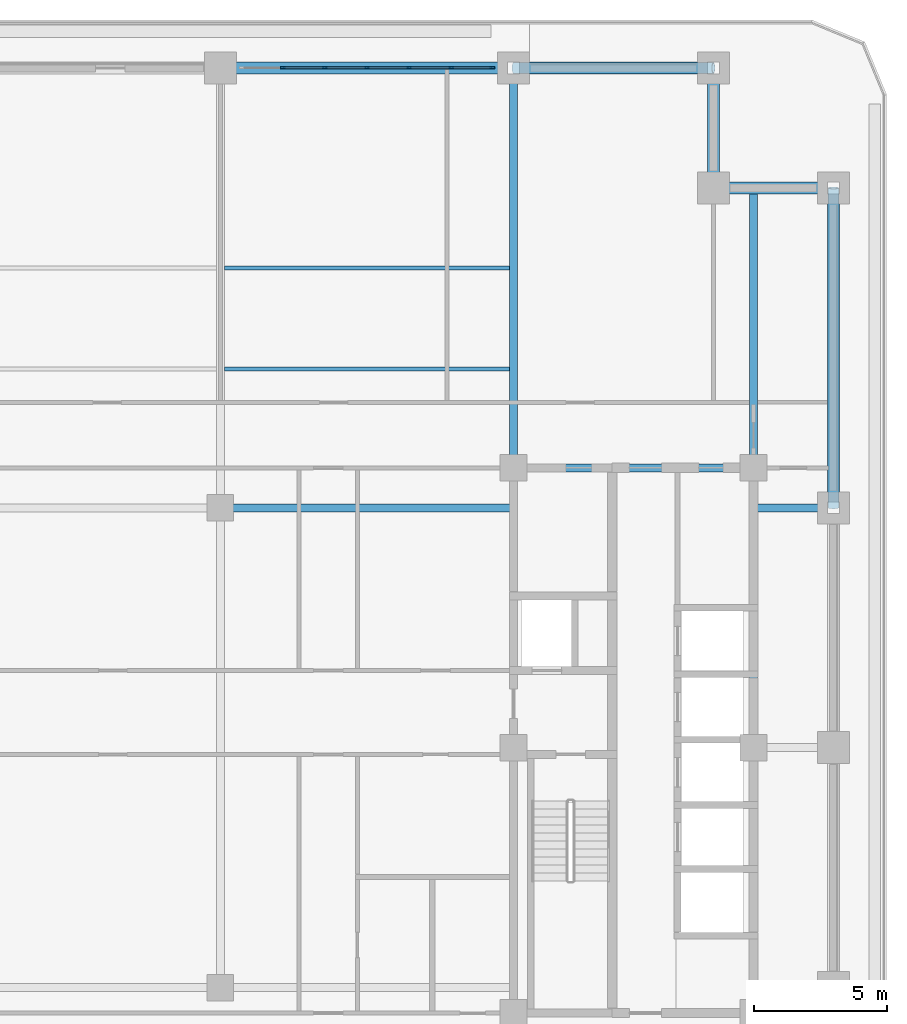
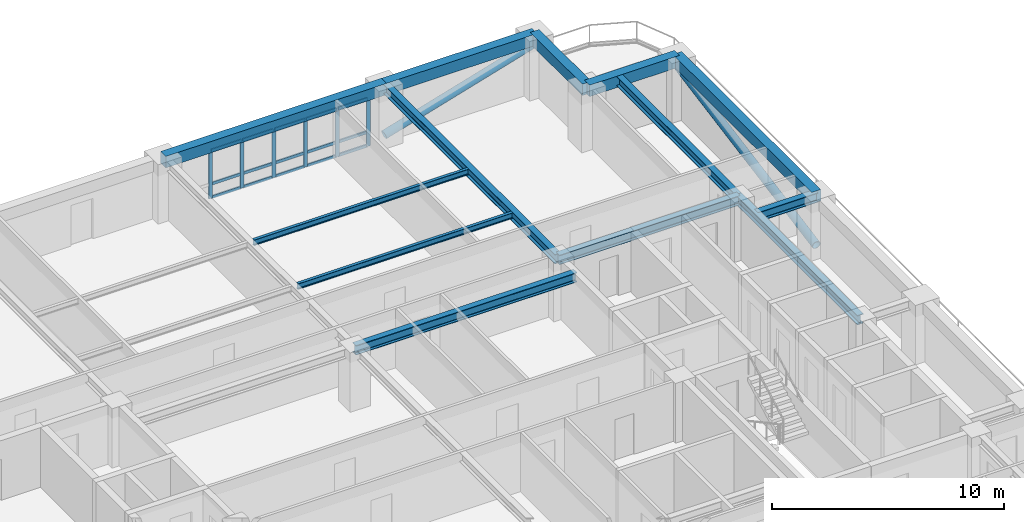
# One storey, part 6 of 17: 23 members, 13 beams, 1 element without a shape of its own.
"""IFC4 building model written with IfcOpenShell, lengths in metres."""

from ifc_helpers import new_model, si_unit, direction, frame, origin, origin_2d, place, context, subcontext, project, spatial, rectangle, hollow_circle, i_section, extrude, material, material_profile, profile_set, type_object, element, aggregate, save


model = new_model("IFC4")

# Units and contexts
model_context = context("Model", 3, precision=1e-05, world=origin(), true_north=direction((0.0, 1.0)))
body_context = subcontext(model_context, "Body", "Model", "MODEL_VIEW")
ifc_project = project(units=[si_unit("LENGTHUNIT", "METRE"), si_unit("AREAUNIT", "SQUARE_METRE"), si_unit("VOLUMEUNIT", "CUBIC_METRE"), si_unit("PLANEANGLEUNIT", "RADIAN"), si_unit("MASSUNIT", "GRAM", prefix="KILO")], contexts=[model_context])

# Site, building, storey
site_placement = place(None, origin())
site = spatial("IfcSite", under=ifc_project, at=site_placement, CompositionType="ELEMENT")
building_placement = place(site_placement, origin())
building = spatial("IfcBuilding", under=site, at=building_placement, Name="Zulmaris Gate Convention Tower", CompositionType="ELEMENT")
storey_placement = place(building_placement, frame((0.0, 0.0, 149.909912109375)))
storey = spatial("IfcBuildingStorey", under=building, at=storey_placement, Name="L38", CompositionType="ELEMENT", Elevation=149.909912109375)

# Beams
ifc_material_1 = material(Name="Steel S355", Category="steel")
ifc_material_profile_1 = material_profile(ifc_material_1, i_section(OverallWidth=0.300048828125, OverallDepth=0.5, WebThickness=0.014404296875, FlangeThickness=0.028076171875, FilletRadius=0.027099609375, at=origin_2d()), Name="HEB 500")
ifc_profile_set_1 = profile_set([ifc_material_profile_1], Name="Steel S355")
beam_type_1 = type_object("IfcBeamType", Name="BM-HEB500", PredefinedType="BEAM", material=ifc_profile_set_1)
beam_1_placement = place(storey_placement, frame((0.0, 9.0, 2.89306640625), z_axis=(1.0, 0.0, 0.0), x_axis=(0.0, 1.0, 0.0)))
element("IfcBeam", 1, at=beam_1_placement, inside=storey, type_object=beam_type_1, Name="L38 Beam BM-L38-G04", PredefinedType="BEAM", context=body_context, shape_type="SweptSolid", body=[
    extrude(i_section(OverallWidth=0.300048828125, OverallDepth=0.5, WebThickness=0.014404296875, FlangeThickness=0.028076171875, FilletRadius=0.027099609375, at=origin_2d()), origin(), (0.0, 0.0, 1.0), 11.0),
])
beam_2_placement = place(storey_placement, frame((11.0, 10.5, 2.89306640625), z_axis=(0.0, 1.0, 0.0), x_axis=(-1.0, 0.0, 0.0)))
element("IfcBeam", 2, at=beam_2_placement, inside=storey, type_object=beam_type_1, Name="L38 Beam BM-L38-G11", PredefinedType="BEAM", context=body_context, shape_type="SweptSolid", body=[
    extrude(i_section(OverallWidth=0.300048828125, OverallDepth=0.5, WebThickness=0.014404296875, FlangeThickness=0.028076171875, FilletRadius=0.027099609375, at=origin_2d()), origin(), (0.0, 0.0, 1.0), 15.0),
])
beam_3_placement = place(storey_placement, frame((20.0, 10.5, 2.89306640625), z_axis=(0.0, 1.0, 0.0), x_axis=(-1.0, 0.0, 0.0)))
element("IfcBeam", 3, at=beam_3_placement, inside=storey, type_object=beam_type_1, Name="L38 Beam BM-L38-G15", PredefinedType="BEAM", context=body_context, shape_type="SweptSolid", body=[
    extrude(i_section(OverallWidth=0.300048828125, OverallDepth=0.5, WebThickness=0.014404296875, FlangeThickness=0.028076171875, FilletRadius=0.027099609375, at=origin_2d()), origin(), (0.0, 0.0, 1.0), 10.5),
])
beam_4_placement = place(storey_placement, frame((20.0, 9.0, 2.89306640625), z_axis=(1.0, 0.0, 0.0), x_axis=(0.0, 1.0, 0.0)))
element("IfcBeam", 4, at=beam_4_placement, inside=storey, type_object=beam_type_1, Name="L38 Beam BM-L38-G21", PredefinedType="BEAM", context=body_context, shape_type="SweptSolid", body=[
    extrude(i_section(OverallWidth=0.300048828125, OverallDepth=0.5, WebThickness=0.014404296875, FlangeThickness=0.028076171875, FilletRadius=0.027099609375, at=origin_2d()), origin(), (0.0, 0.0, 1.0), 3.0),
])
beam_5_placement = place(storey_placement, frame((11.0, 10.5, 2.89306640625), z_axis=(1.0, 0.0, 0.0), x_axis=(0.0, 1.0, 0.0)))
element("IfcBeam", 5, at=beam_5_placement, inside=storey, type_object=beam_type_1, Name="L38 Beam BM-L38-G25", PredefinedType="BEAM", context=body_context, shape_type="SweptSolid", body=[
    extrude(i_section(OverallWidth=0.300048828125, OverallDepth=0.5, WebThickness=0.014404296875, FlangeThickness=0.028076171875, FilletRadius=0.027099609375, at=origin_2d()), origin(), (0.0, 0.0, 1.0), 9.0),
])
beam_6_placement = place(storey_placement, frame((20.0, 0.0, 2.89306640625), z_axis=(0.0, 1.0, 0.0), x_axis=(-1.0, 0.0, 0.0)))
element("IfcBeam", 6, at=beam_6_placement, inside=storey, type_object=beam_type_1, Name="L38 Beam BM-L38-G29", PredefinedType="BEAM", context=body_context, shape_type="SweptSolid", body=[
    extrude(i_section(OverallWidth=0.300048828125, OverallDepth=0.5, WebThickness=0.014404296875, FlangeThickness=0.028076171875, FilletRadius=0.027099609375, at=origin_2d()), origin(), (0.0, 0.0, 1.0), 10.5),
])
ifc_material_2 = material(Name="Precast concrete C50/60", Category="concrete")
ifc_material_profile_2 = material_profile(ifc_material_2, rectangle(XDim=0.449951171875, YDim=0.60009765625, at=origin_2d()), Name="RC SPANDREL 450x600")
ifc_profile_set_2 = profile_set([ifc_material_profile_2], Name="Precast concrete C50/60")
beam_type_2 = type_object("IfcBeamType", Name="BM-SP450x600", PredefinedType="SPANDREL", material=ifc_profile_set_2)
beam_7_placement = place(storey_placement, frame((23.0, 9.0, 2.844970703125), z_axis=(0.0, 1.0, 0.0), x_axis=(-1.0, 0.0, 0.0)))
element("IfcBeam", 7, at=beam_7_placement, inside=storey, type_object=beam_type_2, Name="L38 Spandrel SP-L38-10", PredefinedType="SPANDREL", context=body_context, shape_type="SweptSolid", body=[
    extrude(rectangle(XDim=0.449951171875, YDim=0.60009765625, at=origin_2d()), origin(), (0.0, 0.0, 1.0), 12.0),
])
for number, where, z_axis, x_axis, name in (
    (8, (23.0, 21.0, 2.844970703125), (-1.0, 0.0, 0.0), (0.0, -1.0, 0.0), "L38 Spandrel SP-L38-11"),
    (9, (18.5, 21.0, 2.844970703125), (0.0, 1.0, 0.0), (-1.0, 0.0, 0.0), "L38 Spandrel SP-L38-12"),
):
    element("IfcBeam", number, at=place(storey_placement, frame(where, z_axis=z_axis, x_axis=x_axis)), inside=storey, type_object=beam_type_2, Name=name, PredefinedType="SPANDREL", context=body_context, shape_type="SweptSolid", body=[
        extrude(rectangle(XDim=0.449951171875, YDim=0.60009765625, at=origin_2d()), origin(), (0.0, 0.0, 1.0), 4.5),
    ])
beam_8_placement = place(storey_placement, frame((18.5, 25.5, 2.844970703125), z_axis=(-1.0, 0.0, 0.0), x_axis=(0.0, -1.0, 0.0)))
element("IfcBeam", 10, at=beam_8_placement, inside=storey, type_object=beam_type_2, Name="L38 Spandrel SP-L38-13", PredefinedType="SPANDREL", context=body_context, shape_type="SweptSolid", body=[
    extrude(rectangle(XDim=0.449951171875, YDim=0.60009765625, at=origin_2d()), origin(), (0.0, 0.0, 1.0), 7.5),
])
beam_9_placement = place(storey_placement, frame((11.0, 25.5, 2.844970703125), z_axis=(-1.0, 0.0, 0.0), x_axis=(0.0, -1.0, 0.0)))
element("IfcBeam", 11, at=beam_9_placement, inside=storey, type_object=beam_type_2, Name="L38 Spandrel SP-L38-14", PredefinedType="SPANDREL", context=body_context, shape_type="SweptSolid", body=[
    extrude(rectangle(XDim=0.449951171875, YDim=0.60009765625, at=origin_2d()), origin(), (0.0, 0.0, 1.0), 11.0),
])

# Members
ifc_material_3 = material(Name="Steel S460", Category="steel")
ifc_material_profile_3 = material_profile(ifc_material_3, hollow_circle(Radius=0.203125, WallThickness=0.02001953125, at=origin_2d()), Name="CHS 406.4x20")
ifc_profile_set_3 = profile_set([ifc_material_profile_3], Name="Steel S460")
member_type_1 = type_object("IfcMemberType", Name="BR-CHS406", PredefinedType="BRACE", material=ifc_profile_set_3)
member_1_placement = place(storey_placement, frame((23.0, 9.0, 0.300048828125), z_axis=(0.0, 0.983239794961, 0.182317046942), x_axis=(-1.0, 0.0, 0.0)))
element("IfcMember", 12, at=member_1_placement, inside=storey, type_object=member_type_1, Name="L38 Perimeter Tube Diagonal NE-E", PredefinedType="BRACE", context=body_context, shape_type="SweptSolid", body=[
    extrude(hollow_circle(Radius=0.203125, WallThickness=0.02001953125, at=origin_2d()), origin(), (0.0, 0.0, 1.0), 12.20458984375),
])
member_2_placement = place(storey_placement, frame((11.0, 25.5, 0.300048828125), z_axis=(0.958697936937, 0.0, 0.284426204337), x_axis=(0.0, 1.0, 0.0)))
element("IfcMember", 13, at=member_2_placement, inside=storey, type_object=member_type_1, Name="L38 Perimeter Tube Diagonal NE-N", PredefinedType="BRACE", context=body_context, shape_type="SweptSolid", body=[
    extrude(hollow_circle(Radius=0.203125, WallThickness=0.02001953125, at=origin_2d()), origin(), (0.0, 0.0, 1.0), 7.822998046875),
])

# Curtain wall, members
ifc_material_4 = material(Name="Anodised Aluminium", Category="aluminium")
curtain_wall_type = type_object("IfcCurtainWallType", Name="CW-06", PredefinedType="NOTDEFINED", material=ifc_material_4)
curtain_wall_placement = place(storey_placement, origin())
curtain_wall = element("IfcCurtainWall", 14, at=curtain_wall_placement, inside=storey, type_object=curtain_wall_type, Name="CW-06 CW06-L38-N-2_0", PredefinedType="NOTDEFINED")
ifc_material_profile_4 = material_profile(ifc_material_4, rectangle(XDim=0.074951171875, YDim=0.179931640625, at=origin_2d()), Name="ALU MULLION 75x180")
ifc_profile_set_4 = profile_set([ifc_material_profile_4], Name="Anodised Aluminium")
member_type_2 = type_object("IfcMemberType", Name="CW-06-MULL", PredefinedType="MULLION", material=ifc_profile_set_4)
member_3_placement = place(storey_placement, frame((10.202392578125, 25.5, 0.0), z_axis=(0.0, 0.0, 1.0), x_axis=(0.0, -1.0, 0.0)))
member_3 = element("IfcMember", 15, at=member_3_placement, type_object=member_type_2, Name="CW-06 mullion 1", PredefinedType="MULLION", context=body_context, shape_type="SweptSolid", body=[
    extrude(rectangle(XDim=0.074951171875, YDim=0.179931640625, at=origin_2d()), origin(), (0.0, 0.0, 1.0), 2.537109375),
])
member_4_placement = place(storey_placement, frame((8.659912109375, 25.5, 0.0), z_axis=(0.0, 0.0, 1.0), x_axis=(0.0, -1.0, 0.0)))
member_4 = element("IfcMember", 16, at=member_4_placement, type_object=member_type_2, Name="CW-06 mullion 2", PredefinedType="MULLION", context=body_context, shape_type="SweptSolid", body=[
    extrude(rectangle(XDim=0.074951171875, YDim=0.179931640625, at=origin_2d()), origin(), (0.0, 0.0, 1.0), 2.537109375),
])
member_5_placement = place(storey_placement, frame((7.080078125, 25.5, 0.0), z_axis=(0.0, 0.0, 1.0), x_axis=(0.0, -1.0, 0.0)))
member_5 = element("IfcMember", 17, at=member_5_placement, type_object=member_type_2, Name="CW-06 mullion 3", PredefinedType="MULLION", context=body_context, shape_type="SweptSolid", body=[
    extrude(rectangle(XDim=0.074951171875, YDim=0.179931640625, at=origin_2d()), origin(), (0.0, 0.0, 1.0), 2.537109375),
])
member_6_placement = place(storey_placement, frame((5.5, 25.5, 0.0), z_axis=(0.0, 0.0, 1.0), x_axis=(0.0, -1.0, 0.0)))
member_6 = element("IfcMember", 18, at=member_6_placement, type_object=member_type_2, Name="CW-06 mullion 4", PredefinedType="MULLION", context=body_context, shape_type="SweptSolid", body=[
    extrude(rectangle(XDim=0.074951171875, YDim=0.179931640625, at=origin_2d()), origin(), (0.0, 0.0, 1.0), 2.537109375),
])
member_7_placement = place(storey_placement, frame((3.919921875, 25.5, 0.0), z_axis=(0.0, 0.0, 1.0), x_axis=(0.0, -1.0, 0.0)))
member_7 = element("IfcMember", 19, at=member_7_placement, type_object=member_type_2, Name="CW-06 mullion 5", PredefinedType="MULLION", context=body_context, shape_type="SweptSolid", body=[
    extrude(rectangle(XDim=0.074951171875, YDim=0.179931640625, at=origin_2d()), origin(), (0.0, 0.0, 1.0), 2.537109375),
])
member_8_placement = place(storey_placement, frame((2.340087890625, 25.5, 0.0), z_axis=(0.0, 0.0, 1.0), x_axis=(0.0, -1.0, 0.0)))
member_8 = element("IfcMember", 20, at=member_8_placement, type_object=member_type_2, Name="CW-06 mullion 6", PredefinedType="MULLION", context=body_context, shape_type="SweptSolid", body=[
    extrude(rectangle(XDim=0.074951171875, YDim=0.179931640625, at=origin_2d()), origin(), (0.0, 0.0, 1.0), 2.537109375),
])
ifc_material_profile_5 = material_profile(ifc_material_4, rectangle(XDim=0.074951171875, YDim=0.14990234375, at=origin_2d()), Name="ALU TRANSOM 75x150")
ifc_profile_set_5 = profile_set([ifc_material_profile_5], Name="Anodised Aluminium")
member_type_3 = type_object("IfcMemberType", Name="CW-06-TRAN", PredefinedType="USERDEFINED", material=ifc_profile_set_5)
member_9_placement = place(storey_placement, frame((10.1650390625, 25.5, 0.03759765625), z_axis=(-1.0, 0.0, 0.0), x_axis=(0.0, -1.0, 0.0)))
member_9 = element("IfcMember", 21, at=member_9_placement, type_object=member_type_3, Name="CW-06 transom 1.1", ObjectType="TRANSOM", PredefinedType="USERDEFINED", context=body_context, shape_type="SweptSolid", body=[
    extrude(rectangle(XDim=0.074951171875, YDim=0.14990234375, at=origin_2d()), origin(), (0.0, 0.0, 1.0), 1.467529296875),
])
member_10_placement = place(storey_placement, frame((10.1650390625, 25.5, 0.75), z_axis=(-1.0, 0.0, 0.0), x_axis=(0.0, -1.0, 0.0)))
member_10 = element("IfcMember", 22, at=member_10_placement, type_object=member_type_3, Name="CW-06 transom 1.2", ObjectType="TRANSOM", PredefinedType="USERDEFINED", context=body_context, shape_type="SweptSolid", body=[
    extrude(rectangle(XDim=0.074951171875, YDim=0.14990234375, at=origin_2d()), origin(), (0.0, 0.0, 1.0), 1.467529296875),
])
member_11_placement = place(storey_placement, frame((10.1650390625, 25.5, 2.49951171875), z_axis=(-1.0, 0.0, 0.0), x_axis=(0.0, -1.0, 0.0)))
member_11 = element("IfcMember", 23, at=member_11_placement, type_object=member_type_3, Name="CW-06 transom 1.3", ObjectType="TRANSOM", PredefinedType="USERDEFINED", context=body_context, shape_type="SweptSolid", body=[
    extrude(rectangle(XDim=0.074951171875, YDim=0.14990234375, at=origin_2d()), origin(), (0.0, 0.0, 1.0), 1.467529296875),
])
member_12_placement = place(storey_placement, frame((8.62255859375, 25.5, 0.03759765625), z_axis=(-1.0, 0.0, 0.0), x_axis=(0.0, -1.0, 0.0)))
member_12 = element("IfcMember", 24, at=member_12_placement, type_object=member_type_3, Name="CW-06 transom 2.1", ObjectType="TRANSOM", PredefinedType="USERDEFINED", context=body_context, shape_type="SweptSolid", body=[
    extrude(rectangle(XDim=0.074951171875, YDim=0.14990234375, at=origin_2d()), origin(), (0.0, 0.0, 1.0), 1.505126953125),
])
member_13_placement = place(storey_placement, frame((8.62255859375, 25.5, 0.75), z_axis=(-1.0, 0.0, 0.0), x_axis=(0.0, -1.0, 0.0)))
member_13 = element("IfcMember", 25, at=member_13_placement, type_object=member_type_3, Name="CW-06 transom 2.2", ObjectType="TRANSOM", PredefinedType="USERDEFINED", context=body_context, shape_type="SweptSolid", body=[
    extrude(rectangle(XDim=0.074951171875, YDim=0.14990234375, at=origin_2d()), origin(), (0.0, 0.0, 1.0), 1.505126953125),
])
member_14_placement = place(storey_placement, frame((8.62255859375, 25.5, 2.49951171875), z_axis=(-1.0, 0.0, 0.0), x_axis=(0.0, -1.0, 0.0)))
member_14 = element("IfcMember", 26, at=member_14_placement, type_object=member_type_3, Name="CW-06 transom 2.3", ObjectType="TRANSOM", PredefinedType="USERDEFINED", context=body_context, shape_type="SweptSolid", body=[
    extrude(rectangle(XDim=0.074951171875, YDim=0.14990234375, at=origin_2d()), origin(), (0.0, 0.0, 1.0), 1.505126953125),
])
member_15_placement = place(storey_placement, frame((7.04248046875, 25.5, 0.03759765625), z_axis=(-1.0, 0.0, 0.0), x_axis=(0.0, -1.0, 0.0)))
member_15 = element("IfcMember", 27, at=member_15_placement, type_object=member_type_3, Name="CW-06 transom 3.1", ObjectType="TRANSOM", PredefinedType="USERDEFINED", context=body_context, shape_type="SweptSolid", body=[
    extrude(rectangle(XDim=0.074951171875, YDim=0.14990234375, at=origin_2d()), origin(), (0.0, 0.0, 1.0), 1.5048828125),
])
member_16_placement = place(storey_placement, frame((7.04248046875, 25.5, 0.75), z_axis=(-1.0, 0.0, 0.0), x_axis=(0.0, -1.0, 0.0)))
member_16 = element("IfcMember", 28, at=member_16_placement, type_object=member_type_3, Name="CW-06 transom 3.2", ObjectType="TRANSOM", PredefinedType="USERDEFINED", context=body_context, shape_type="SweptSolid", body=[
    extrude(rectangle(XDim=0.074951171875, YDim=0.14990234375, at=origin_2d()), origin(), (0.0, 0.0, 1.0), 1.5048828125),
])
member_17_placement = place(storey_placement, frame((7.04248046875, 25.5, 2.49951171875), z_axis=(-1.0, 0.0, 0.0), x_axis=(0.0, -1.0, 0.0)))
member_17 = element("IfcMember", 29, at=member_17_placement, type_object=member_type_3, Name="CW-06 transom 3.3", ObjectType="TRANSOM", PredefinedType="USERDEFINED", context=body_context, shape_type="SweptSolid", body=[
    extrude(rectangle(XDim=0.074951171875, YDim=0.14990234375, at=origin_2d()), origin(), (0.0, 0.0, 1.0), 1.5048828125),
])
member_18_placement = place(storey_placement, frame((5.46240234375, 25.5, 0.03759765625), z_axis=(-1.0, 0.0, 0.0), x_axis=(0.0, -1.0, 0.0)))
member_18 = element("IfcMember", 30, at=member_18_placement, type_object=member_type_3, Name="CW-06 transom 4.1", ObjectType="TRANSOM", PredefinedType="USERDEFINED", context=body_context, shape_type="SweptSolid", body=[
    extrude(rectangle(XDim=0.074951171875, YDim=0.14990234375, at=origin_2d()), origin(), (0.0, 0.0, 1.0), 1.5048828125),
])
member_19_placement = place(storey_placement, frame((5.46240234375, 25.5, 0.75), z_axis=(-1.0, 0.0, 0.0), x_axis=(0.0, -1.0, 0.0)))
member_19 = element("IfcMember", 31, at=member_19_placement, type_object=member_type_3, Name="CW-06 transom 4.2", ObjectType="TRANSOM", PredefinedType="USERDEFINED", context=body_context, shape_type="SweptSolid", body=[
    extrude(rectangle(XDim=0.074951171875, YDim=0.14990234375, at=origin_2d()), origin(), (0.0, 0.0, 1.0), 1.5048828125),
])
member_20_placement = place(storey_placement, frame((5.46240234375, 25.5, 2.49951171875), z_axis=(-1.0, 0.0, 0.0), x_axis=(0.0, -1.0, 0.0)))
member_20 = element("IfcMember", 32, at=member_20_placement, type_object=member_type_3, Name="CW-06 transom 4.3", ObjectType="TRANSOM", PredefinedType="USERDEFINED", context=body_context, shape_type="SweptSolid", body=[
    extrude(rectangle(XDim=0.074951171875, YDim=0.14990234375, at=origin_2d()), origin(), (0.0, 0.0, 1.0), 1.5048828125),
])
member_21_placement = place(storey_placement, frame((3.882568359375, 25.5, 0.03759765625), z_axis=(-1.0, 0.0, 0.0), x_axis=(0.0, -1.0, 0.0)))
member_21 = element("IfcMember", 33, at=member_21_placement, type_object=member_type_3, Name="CW-06 transom 5.1", ObjectType="TRANSOM", PredefinedType="USERDEFINED", context=body_context, shape_type="SweptSolid", body=[
    extrude(rectangle(XDim=0.074951171875, YDim=0.14990234375, at=origin_2d()), origin(), (0.0, 0.0, 1.0), 1.505126953125),
])
member_22_placement = place(storey_placement, frame((3.882568359375, 25.5, 0.75), z_axis=(-1.0, 0.0, 0.0), x_axis=(0.0, -1.0, 0.0)))
member_22 = element("IfcMember", 34, at=member_22_placement, type_object=member_type_3, Name="CW-06 transom 5.2", ObjectType="TRANSOM", PredefinedType="USERDEFINED", context=body_context, shape_type="SweptSolid", body=[
    extrude(rectangle(XDim=0.074951171875, YDim=0.14990234375, at=origin_2d()), origin(), (0.0, 0.0, 1.0), 1.505126953125),
])
member_23_placement = place(storey_placement, frame((3.882568359375, 25.5, 2.49951171875), z_axis=(-1.0, 0.0, 0.0), x_axis=(0.0, -1.0, 0.0)))
member_23 = element("IfcMember", 35, at=member_23_placement, type_object=member_type_3, Name="CW-06 transom 5.3", ObjectType="TRANSOM", PredefinedType="USERDEFINED", context=body_context, shape_type="SweptSolid", body=[
    extrude(rectangle(XDim=0.074951171875, YDim=0.14990234375, at=origin_2d()), origin(), (0.0, 0.0, 1.0), 1.505126953125),
])
aggregate(curtain_wall, [member_3, member_4, member_5, member_6, member_7, member_8, member_9, member_10, member_11, member_12, member_13, member_14, member_15, member_16, member_17, member_18, member_19, member_20, member_21, member_22, member_23])

# Beams
ifc_material_profile_6 = material_profile(ifc_material_1, i_section(OverallWidth=0.14990234375, OverallDepth=0.300048828125, WebThickness=0.007080078125, FlangeThickness=0.0107421875, FilletRadius=0.014892578125, at=origin_2d()), Name="IPE 300")
ifc_profile_set_6 = profile_set([ifc_material_profile_6], Name="Steel S355")
beam_type_3 = type_object("IfcBeamType", Name="JT-IPE300", PredefinedType="JOIST", material=ifc_profile_set_6)
for number, where, z_axis, x_axis, name in (
    (36, (0.14990234375, 14.199951171875, 2.9931640625), (1.0, 0.0, 0.0), (0.0, 1.0, 0.0), "L38 Joist JT-L38-CE-+14.2"),
    (37, (0.14990234375, 18.0, 2.9931640625), (1.0, 0.0, 0.0), (0.0, 1.0, 0.0), "L38 Joist JT-L38-CE-+18.0"),
):
    element("IfcBeam", number, at=place(storey_placement, frame(where, z_axis=z_axis, x_axis=x_axis)), inside=storey, type_object=beam_type_3, Name=name, PredefinedType="JOIST", context=body_context, shape_type="SweptSolid", body=[
        extrude(i_section(OverallWidth=0.14990234375, OverallDepth=0.300048828125, WebThickness=0.007080078125, FlangeThickness=0.0107421875, FilletRadius=0.014892578125, at=origin_2d()), origin(), (0.0, 0.0, 1.0), 10.7001953125),
    ])

save(model, "model.ifc")
